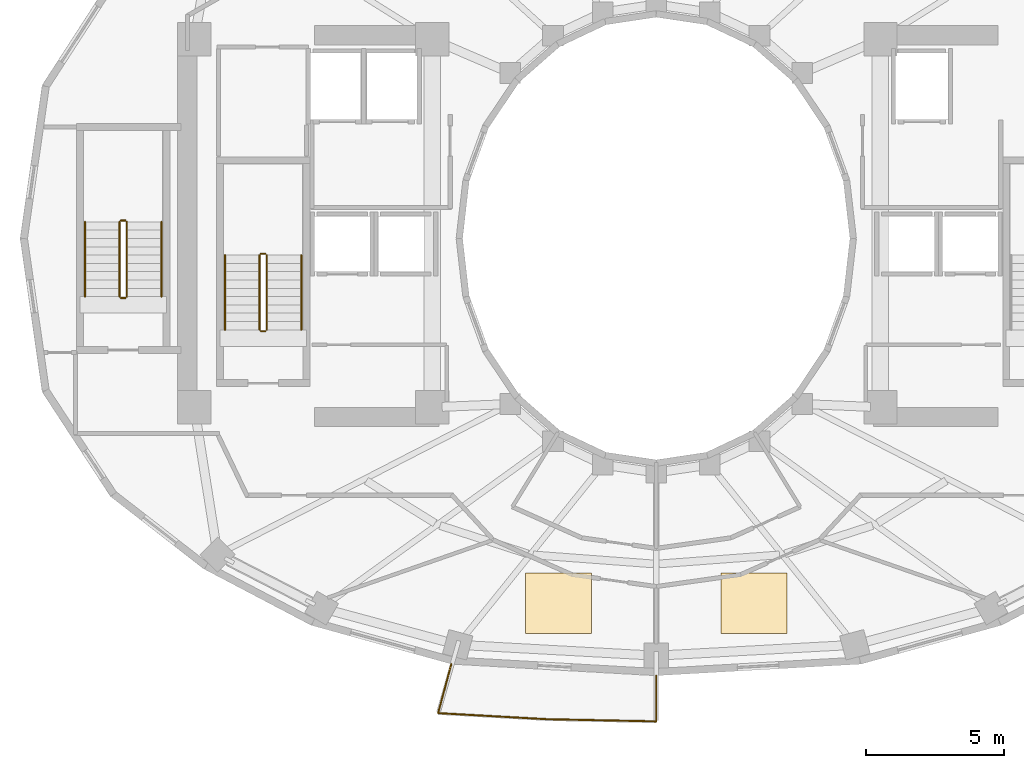
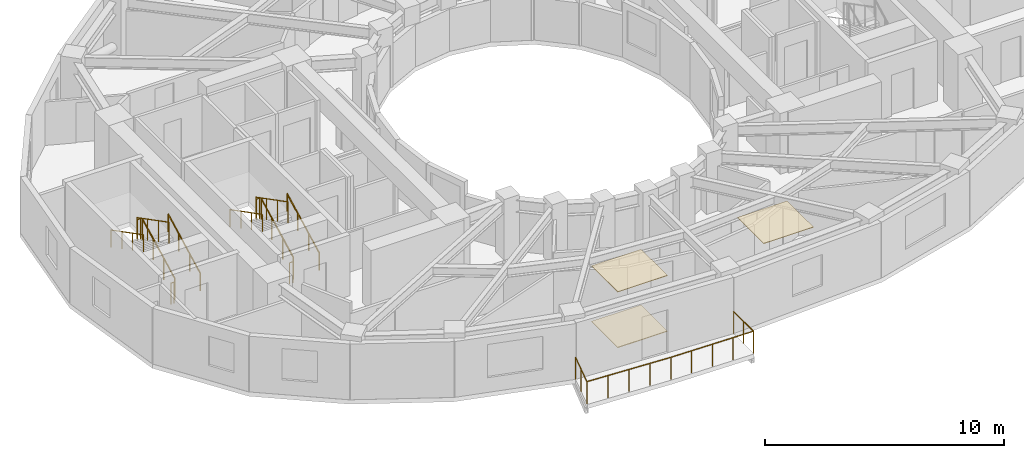
# One storey, part 11 of 13: 13 railings, 3 coverings.
"""IFC4 building model written with IfcOpenShell, lengths in metres."""

from ifc_helpers import new_model, si_unit, direction, frame, origin, origin_2d, place, context, subcontext, project, spatial, polyline, circle, outline, extrude, material, layer, layer_set, type_object, element, save


model = new_model("IFC4")

# Units and contexts
model_context = context("Model", 3, precision=1e-05, world=origin(), true_north=direction((0.0, 1.0)))
body_context = subcontext(model_context, "Body", "Model", "MODEL_VIEW")
ifc_project = project(units=[si_unit("LENGTHUNIT", "METRE"), si_unit("AREAUNIT", "SQUARE_METRE"), si_unit("VOLUMEUNIT", "CUBIC_METRE"), si_unit("PLANEANGLEUNIT", "RADIAN"), si_unit("MASSUNIT", "GRAM", prefix="KILO")], contexts=[model_context])

# Site, building, storey
site_placement = place(None, origin())
site = spatial("IfcSite", under=ifc_project, at=site_placement, CompositionType="ELEMENT")
building_placement = place(site_placement, origin())
building = spatial("IfcBuilding", under=site, at=building_placement, Name="Solvane Sanctuary Tower", CompositionType="ELEMENT")
storey_placement = place(building_placement, frame((0.0, 0.0, 156.0)))
storey = spatial("IfcBuildingStorey", under=building, at=storey_placement, Name="L47", CompositionType="ELEMENT", Elevation=156.0)

# Coverings
ifc_material_1 = material(Name="Acoustic Gypsum Partition Board")
ifc_layer_1 = layer(ifc_material_1, 0.02490234375, Name="Acoustic Gypsum Partition Board")
ifc_layer_set_1 = layer_set([ifc_layer_1], Name="Acoustic Gypsum Partition Board")
covering_type_1 = type_object("IfcCoveringType", Name="Covering CLG-ACOUST", PredefinedType="CEILING", material=ifc_layer_set_1)
covering_1_placement = place(storey_placement, frame((0.0, 0.0, 2.85009765625)))
element("IfcCovering", 1, at=covering_1_placement, inside=storey, type_object=covering_type_1, Name="L47 Unit Acoustic Ceiling Panel 4", PredefinedType="CEILING", context=body_context, shape_type="SweptSolid", body=[
    extrude(outline(polyline([(27.26708984375, 8.715087890625), (29.6669921875, 8.715087890625), (29.6669921875, 10.9150390625), (27.26708984375, 10.9150390625), (27.26708984375, 8.715087890625)])), origin(), (0.0, 0.0, 1.0), 0.02978515625),
])
covering_2_placement = place(storey_placement, frame((0.0, 0.0, 2.85009765625)))
element("IfcCovering", 2, at=covering_2_placement, inside=storey, type_object=covering_type_1, Name="L47 Unit Acoustic Ceiling Panel 5", PredefinedType="CEILING", context=body_context, shape_type="SweptSolid", body=[
    extrude(outline(polyline([(34.3330078125, 8.715087890625), (36.73291015625, 8.715087890625), (36.73291015625, 10.9150390625), (34.3330078125, 10.9150390625), (34.3330078125, 8.715087890625)])), origin(), (0.0, 0.0, 1.0), 0.02978515625),
])
ifc_material_2 = material(Name="Ceramic Tile Finish")
ifc_layer_2 = layer(ifc_material_2, 0.030029296875, Name="Ceramic Tile Finish")
ifc_layer_set_2 = layer_set([ifc_layer_2], Name="Ceramic Tile Finish")
covering_type_2 = type_object("IfcCoveringType", Name="Covering FLR-TERRAZZO", PredefinedType="FLOORING", material=ifc_layer_set_2)
covering_3_placement = place(storey_placement, origin())
element("IfcCovering", 3, at=covering_3_placement, inside=storey, type_object=covering_type_2, Name="L47 Unit Terrazzo Inlay 4", PredefinedType="FLOORING", context=body_context, shape_type="SweptSolid", body=[
    extrude(outline(polyline([(27.26708984375, 8.715087890625), (29.6669921875, 8.715087890625), (29.6669921875, 10.9150390625), (27.26708984375, 10.9150390625), (27.26708984375, 8.715087890625)])), origin(), (0.0, 0.0, 1.0), 0.034912109375),
])

# Railings
ifc_material_3 = material(Name="Architectural Stainless Steel 316", Category="steel")
railing_type_1 = type_object("IfcRailingType", Name="Railing GR-BALC-1150", PredefinedType="BALUSTRADE", material=ifc_material_3)
railing_1_placement = place(storey_placement, frame((24.589599609375, 7.6181640625, 0.0)))
element("IfcRailing", 4, at=railing_1_placement, inside=storey, type_object=railing_type_1, Name="L47 Wave Balcony Balustrade SC", PredefinedType="BALUSTRADE", context=body_context, shape_type="SweptSolid", body=[
    extrude(circle(Radius=0.02392578125, at=origin_2d()), frame((0.0, 0.0, 1.1259765625), z_axis=(-0.258820206775, -0.965925515019, 0.0), x_axis=(0.965925515019, -0.258820206775, 0.0)), (0.0, 0.0, 1.0), 1.83740234375),
    extrude(circle(Radius=0.02392578125, at=origin_2d()), frame((-0.4755859375, -1.77490234375, 1.1259765625), z_axis=(0.998449690064, -0.055661624226, 0.0), x_axis=(0.055661624226, 0.998449690064, 0.0)), (0.0, 0.0, 1.0), 3.951904296875),
    extrude(circle(Radius=0.02392578125, at=origin_2d()), frame((3.47021484375, -1.994873046875, 1.1259765625), z_axis=(0.999804714096, -0.019761924766, 0.0), x_axis=(0.019761924766, 0.999804714096, 0.0)), (0.0, 0.0, 1.0), 3.94091796875),
    extrude(circle(Radius=0.02392578125, at=origin_2d()), frame((7.410400390625, -2.07275390625, 1.1259765625), z_axis=(0.0, 1.0, 0.0), x_axis=(-1.0, 0.0, 0.0)), (0.0, 0.0, 1.0), 1.654541015625),
    extrude(circle(Radius=0.02099609375, at=origin_2d()), origin(), (0.0, 0.0, 1.0), 1.101806640625),
    extrude(circle(Radius=0.02099609375, at=origin_2d()), frame((-0.23779296875, -0.887451171875, 0.0)), (0.0, 0.0, 1.0), 1.101806640625),
    extrude(circle(Radius=0.02099609375, at=origin_2d()), frame((-0.4755859375, -1.77490234375, 0.0)), (0.0, 0.0, 1.0), 1.101806640625),
    extrude(circle(Radius=0.02099609375, at=origin_2d()), frame((0.5107421875, -1.829833984375, 0.0)), (0.0, 0.0, 1.0), 1.101806640625),
    extrude(circle(Radius=0.02099609375, at=origin_2d()), frame((1.497314453125, -1.884765625, 0.0)), (0.0, 0.0, 1.0), 1.101806640625),
    extrude(circle(Radius=0.02099609375, at=origin_2d()), frame((2.48388671875, -1.93994140625, 0.0)), (0.0, 0.0, 1.0), 1.101806640625),
    extrude(circle(Radius=0.02099609375, at=origin_2d()), frame((3.47021484375, -1.994873046875, 0.0)), (0.0, 0.0, 1.0), 1.101806640625),
    extrude(circle(Radius=0.02099609375, at=origin_2d()), frame((4.455322265625, -2.014404296875, 0.0)), (0.0, 0.0, 1.0), 1.101806640625),
    extrude(circle(Radius=0.02099609375, at=origin_2d()), frame((5.4404296875, -2.03369140625, 0.0)), (0.0, 0.0, 1.0), 1.101806640625),
    extrude(circle(Radius=0.02099609375, at=origin_2d()), frame((6.42529296875, -2.05322265625, 0.0)), (0.0, 0.0, 1.0), 1.101806640625),
    extrude(circle(Radius=0.02099609375, at=origin_2d()), frame((7.410400390625, -2.07275390625, 0.0)), (0.0, 0.0, 1.0), 1.101806640625),
    extrude(circle(Radius=0.02099609375, at=origin_2d()), frame((7.410400390625, -1.24560546875, 0.0)), (0.0, 0.0, 1.0), 1.101806640625),
    extrude(circle(Radius=0.02099609375, at=origin_2d()), frame((7.410400390625, -0.418212890625, 0.0)), (0.0, 0.0, 1.0), 1.101806640625),
])
railing_2_placement = place(storey_placement, frame((17.919921875, 19.699951171875, 0.155029296875)))
element("IfcRailing", 5, at=railing_2_placement, inside=storey, type_object=railing_type_1, Name="L47 ST-1 stair guard 1", PredefinedType="BALUSTRADE", context=body_context, shape_type="SweptSolid", body=[
    extrude(circle(Radius=0.02392578125, at=origin_2d()), frame((0.0, 0.0, 1.076171875), z_axis=(0.0, 0.888419900624, 0.459031676658), x_axis=(-1.0, 0.0, 0.0)), (0.0, 0.0, 1.0), 3.0390625),
    extrude(circle(Radius=0.02099609375, at=origin_2d()), origin(), (0.0, 0.0, 1.0), 1.052001953125),
    extrude(circle(Radius=0.02099609375, at=origin_2d()), frame((0.0, 0.89990234375, 0.465087890625)), (0.0, 0.0, 1.0), 1.052001953125),
    extrude(circle(Radius=0.02099609375, at=origin_2d()), frame((0.0, 1.800048828125, 0.929931640625)), (0.0, 0.0, 1.0), 1.052001953125),
    extrude(circle(Radius=0.02099609375, at=origin_2d()), frame((0.0, 2.699951171875, 1.39501953125)), (0.0, 0.0, 1.0), 1.052001953125),
])
railing_3_placement = place(storey_placement, frame((17.8701171875, 22.449951171875, 1.550048828125)))
element("IfcRailing", 6, at=railing_3_placement, inside=storey, type_object=railing_type_1, Name="L47 ST-1 stair guard 2", PredefinedType="BALUSTRADE", context=body_context, shape_type="SweptSolid", body=[
    extrude(circle(Radius=0.02392578125, at=origin_2d()), frame((0.0, 0.0, 1.076171875), z_axis=(-1.0, 0.0, 0.0), x_axis=(0.0, -1.0, 0.0)), (0.0, 0.0, 1.0), 0.16015625),
    extrude(circle(Radius=0.02099609375, at=origin_2d()), origin(), (0.0, 0.0, 1.0), 1.052001953125),
    extrude(circle(Radius=0.02099609375, at=origin_2d()), frame((-0.16015625, 0.0, 0.0)), (0.0, 0.0, 1.0), 1.052001953125),
])
railing_4_placement = place(storey_placement, frame((17.659912109375, 22.39990234375, 1.705078125)))
element("IfcRailing", 7, at=railing_4_placement, inside=storey, type_object=railing_type_1, Name="L47 ST-1 stair guard 3", PredefinedType="BALUSTRADE", context=body_context, shape_type="SweptSolid", body=[
    extrude(circle(Radius=0.02392578125, at=origin_2d()), frame((0.0, 0.0, 1.076171875), z_axis=(0.0, -0.888419900624, 0.459031676658), x_axis=(1.0, 0.0, 0.0)), (0.0, 0.0, 1.0), 3.0390625),
    extrude(circle(Radius=0.02099609375, at=origin_2d()), origin(), (0.0, 0.0, 1.0), 1.052001953125),
    extrude(circle(Radius=0.02099609375, at=origin_2d()), frame((0.0, -0.89990234375, 0.465087890625)), (0.0, 0.0, 1.0), 1.052001953125),
    extrude(circle(Radius=0.02099609375, at=origin_2d()), frame((0.0, -1.800048828125, 0.929931640625)), (0.0, 0.0, 1.0), 1.052001953125),
    extrude(circle(Radius=0.02099609375, at=origin_2d()), frame((0.0, -2.699951171875, 1.39501953125)), (0.0, 0.0, 1.0), 1.052001953125),
])
railing_5_placement = place(storey_placement, frame((17.8701171875, 19.64990234375, 0.0)))
element("IfcRailing", 8, at=railing_5_placement, inside=storey, type_object=railing_type_1, Name="L47 ST-1 stair guard 4", PredefinedType="BALUSTRADE", context=body_context, shape_type="SweptSolid", body=[
    extrude(circle(Radius=0.02392578125, at=origin_2d()), frame((0.0, 0.0, 1.076171875), z_axis=(-1.0, 0.0, 0.0), x_axis=(0.0, -1.0, 0.0)), (0.0, 0.0, 1.0), 0.16015625),
    extrude(circle(Radius=0.02099609375, at=origin_2d()), origin(), (0.0, 0.0, 1.0), 1.052001953125),
    extrude(circle(Radius=0.02099609375, at=origin_2d()), frame((-0.16015625, 0.0, 0.0)), (0.0, 0.0, 1.0), 1.052001953125),
])
railing_6_placement = place(storey_placement, frame((12.860107421875, 20.89990234375, 0.155029296875)))
element("IfcRailing", 9, at=railing_6_placement, inside=storey, type_object=railing_type_1, Name="L47 ST-3 stair guard 1", PredefinedType="BALUSTRADE", context=body_context, shape_type="SweptSolid", body=[
    extrude(circle(Radius=0.02392578125, at=origin_2d()), frame((0.0, 0.0, 1.076171875), z_axis=(0.0, 0.888436826113, 0.458998917216), x_axis=(-1.0, 0.0, 0.0)), (0.0, 0.0, 1.0), 3.039306640625),
    extrude(circle(Radius=0.02099609375, at=origin_2d()), origin(), (0.0, 0.0, 1.0), 1.052001953125),
    extrude(circle(Radius=0.02099609375, at=origin_2d()), frame((0.0, 0.900146484375, 0.465087890625)), (0.0, 0.0, 1.0), 1.052001953125),
    extrude(circle(Radius=0.02099609375, at=origin_2d()), frame((0.0, 1.800048828125, 0.929931640625)), (0.0, 0.0, 1.0), 1.052001953125),
    extrude(circle(Radius=0.02099609375, at=origin_2d()), frame((0.0, 2.7001953125, 1.39501953125)), (0.0, 0.0, 1.0), 1.052001953125),
])
railing_7_placement = place(storey_placement, frame((12.81005859375, 23.64990234375, 1.550048828125)))
element("IfcRailing", 10, at=railing_7_placement, inside=storey, type_object=railing_type_1, Name="L47 ST-3 stair guard 2", PredefinedType="BALUSTRADE", context=body_context, shape_type="SweptSolid", body=[
    extrude(circle(Radius=0.02392578125, at=origin_2d()), frame((0.0, 0.0, 1.076171875), z_axis=(-1.0, 0.0, 0.0), x_axis=(0.0, -1.0, 0.0)), (0.0, 0.0, 1.0), 0.16015625),
    extrude(circle(Radius=0.02099609375, at=origin_2d()), origin(), (0.0, 0.0, 1.0), 1.052001953125),
    extrude(circle(Radius=0.02099609375, at=origin_2d()), frame((-0.16015625, 0.0, 0.0)), (0.0, 0.0, 1.0), 1.052001953125),
])
railing_8_placement = place(storey_placement, frame((12.60009765625, 23.60009765625, 1.705078125)))
element("IfcRailing", 11, at=railing_8_placement, inside=storey, type_object=railing_type_1, Name="L47 ST-3 stair guard 3", PredefinedType="BALUSTRADE", context=body_context, shape_type="SweptSolid", body=[
    extrude(circle(Radius=0.02392578125, at=origin_2d()), frame((0.0, 0.0, 1.076171875), z_axis=(0.0, -0.888436826113, 0.458998917216), x_axis=(1.0, 0.0, 0.0)), (0.0, 0.0, 1.0), 3.039306640625),
    extrude(circle(Radius=0.02099609375, at=origin_2d()), origin(), (0.0, 0.0, 1.0), 1.052001953125),
    extrude(circle(Radius=0.02099609375, at=origin_2d()), frame((0.0, -0.900146484375, 0.465087890625)), (0.0, 0.0, 1.0), 1.052001953125),
    extrude(circle(Radius=0.02099609375, at=origin_2d()), frame((0.0, -1.800048828125, 0.929931640625)), (0.0, 0.0, 1.0), 1.052001953125),
    extrude(circle(Radius=0.02099609375, at=origin_2d()), frame((0.0, -2.7001953125, 1.39501953125)), (0.0, 0.0, 1.0), 1.052001953125),
])
railing_9_placement = place(storey_placement, frame((12.81005859375, 20.85009765625, 0.0)))
element("IfcRailing", 12, at=railing_9_placement, inside=storey, type_object=railing_type_1, Name="L47 ST-3 stair guard 4", PredefinedType="BALUSTRADE", context=body_context, shape_type="SweptSolid", body=[
    extrude(circle(Radius=0.02392578125, at=origin_2d()), frame((0.0, 0.0, 1.076171875), z_axis=(-1.0, 0.0, 0.0), x_axis=(0.0, -1.0, 0.0)), (0.0, 0.0, 1.0), 0.16015625),
    extrude(circle(Radius=0.02099609375, at=origin_2d()), origin(), (0.0, 0.0, 1.0), 1.052001953125),
    extrude(circle(Radius=0.02099609375, at=origin_2d()), frame((-0.16015625, 0.0, 0.0)), (0.0, 0.0, 1.0), 1.052001953125),
])
railing_type_2 = type_object("IfcRailingType", Name="Railing HR-STAIR-920", PredefinedType="HANDRAIL", material=ifc_material_3)
railing_10_placement = place(storey_placement, frame((19.169921875, 19.699951171875, 0.155029296875)))
element("IfcRailing", 13, at=railing_10_placement, inside=storey, type_object=railing_type_2, Name="L47 ST-1 stair handrail 1", PredefinedType="HANDRAIL", context=body_context, shape_type="SweptSolid", body=[
    extrude(circle(Radius=0.02392578125, at=origin_2d()), frame((0.0, 0.0, 0.8759765625), z_axis=(0.0, 0.888419900624, 0.459031676658), x_axis=(-1.0, 0.0, 0.0)), (0.0, 0.0, 1.0), 3.0390625),
    extrude(circle(Radius=0.02099609375, at=origin_2d()), origin(), (0.0, 0.0, 1.0), 0.851806640625),
    extrude(circle(Radius=0.02099609375, at=origin_2d()), frame((0.0, 0.89990234375, 0.465087890625)), (0.0, 0.0, 1.0), 0.851806640625),
    extrude(circle(Radius=0.02099609375, at=origin_2d()), frame((0.0, 1.800048828125, 0.929931640625)), (0.0, 0.0, 1.0), 0.851806640625),
    extrude(circle(Radius=0.02099609375, at=origin_2d()), frame((0.0, 2.699951171875, 1.39501953125)), (0.0, 0.0, 1.0), 0.851806640625),
])
railing_11_placement = place(storey_placement, frame((16.409912109375, 22.39990234375, 1.705078125)))
element("IfcRailing", 14, at=railing_11_placement, inside=storey, type_object=railing_type_2, Name="L47 ST-1 stair handrail 2", PredefinedType="HANDRAIL", context=body_context, shape_type="SweptSolid", body=[
    extrude(circle(Radius=0.02392578125, at=origin_2d()), frame((0.0, 0.0, 0.8759765625), z_axis=(0.0, -0.888419900624, 0.459031676658), x_axis=(1.0, 0.0, 0.0)), (0.0, 0.0, 1.0), 3.0390625),
    extrude(circle(Radius=0.02099609375, at=origin_2d()), origin(), (0.0, 0.0, 1.0), 0.851806640625),
    extrude(circle(Radius=0.02099609375, at=origin_2d()), frame((0.0, -0.89990234375, 0.465087890625)), (0.0, 0.0, 1.0), 0.851806640625),
    extrude(circle(Radius=0.02099609375, at=origin_2d()), frame((0.0, -1.800048828125, 0.929931640625)), (0.0, 0.0, 1.0), 0.851806640625),
    extrude(circle(Radius=0.02099609375, at=origin_2d()), frame((0.0, -2.699951171875, 1.39501953125)), (0.0, 0.0, 1.0), 0.851806640625),
])
railing_12_placement = place(storey_placement, frame((14.110107421875, 20.89990234375, 0.155029296875)))
element("IfcRailing", 15, at=railing_12_placement, inside=storey, type_object=railing_type_2, Name="L47 ST-3 stair handrail 1", PredefinedType="HANDRAIL", context=body_context, shape_type="SweptSolid", body=[
    extrude(circle(Radius=0.02392578125, at=origin_2d()), frame((0.0, 0.0, 0.8759765625), z_axis=(0.0, 0.888436826113, 0.458998917216), x_axis=(-1.0, 0.0, 0.0)), (0.0, 0.0, 1.0), 3.039306640625),
    extrude(circle(Radius=0.02099609375, at=origin_2d()), origin(), (0.0, 0.0, 1.0), 0.851806640625),
    extrude(circle(Radius=0.02099609375, at=origin_2d()), frame((0.0, 0.900146484375, 0.465087890625)), (0.0, 0.0, 1.0), 0.851806640625),
    extrude(circle(Radius=0.02099609375, at=origin_2d()), frame((0.0, 1.800048828125, 0.929931640625)), (0.0, 0.0, 1.0), 0.851806640625),
    extrude(circle(Radius=0.02099609375, at=origin_2d()), frame((0.0, 2.7001953125, 1.39501953125)), (0.0, 0.0, 1.0), 0.851806640625),
])
railing_13_placement = place(storey_placement, frame((11.35009765625, 23.60009765625, 1.705078125)))
element("IfcRailing", 16, at=railing_13_placement, inside=storey, type_object=railing_type_2, Name="L47 ST-3 stair handrail 2", PredefinedType="HANDRAIL", context=body_context, shape_type="SweptSolid", body=[
    extrude(circle(Radius=0.02392578125, at=origin_2d()), frame((0.0, 0.0, 0.8759765625), z_axis=(0.0, -0.888436826113, 0.458998917216), x_axis=(1.0, 0.0, 0.0)), (0.0, 0.0, 1.0), 3.039306640625),
    extrude(circle(Radius=0.02099609375, at=origin_2d()), origin(), (0.0, 0.0, 1.0), 0.851806640625),
    extrude(circle(Radius=0.02099609375, at=origin_2d()), frame((0.0, -0.900146484375, 0.465087890625)), (0.0, 0.0, 1.0), 0.851806640625),
    extrude(circle(Radius=0.02099609375, at=origin_2d()), frame((0.0, -1.800048828125, 0.929931640625)), (0.0, 0.0, 1.0), 0.851806640625),
    extrude(circle(Radius=0.02099609375, at=origin_2d()), frame((0.0, -2.7001953125, 1.39501953125)), (0.0, 0.0, 1.0), 0.851806640625),
])

save(model, "model.ifc")
